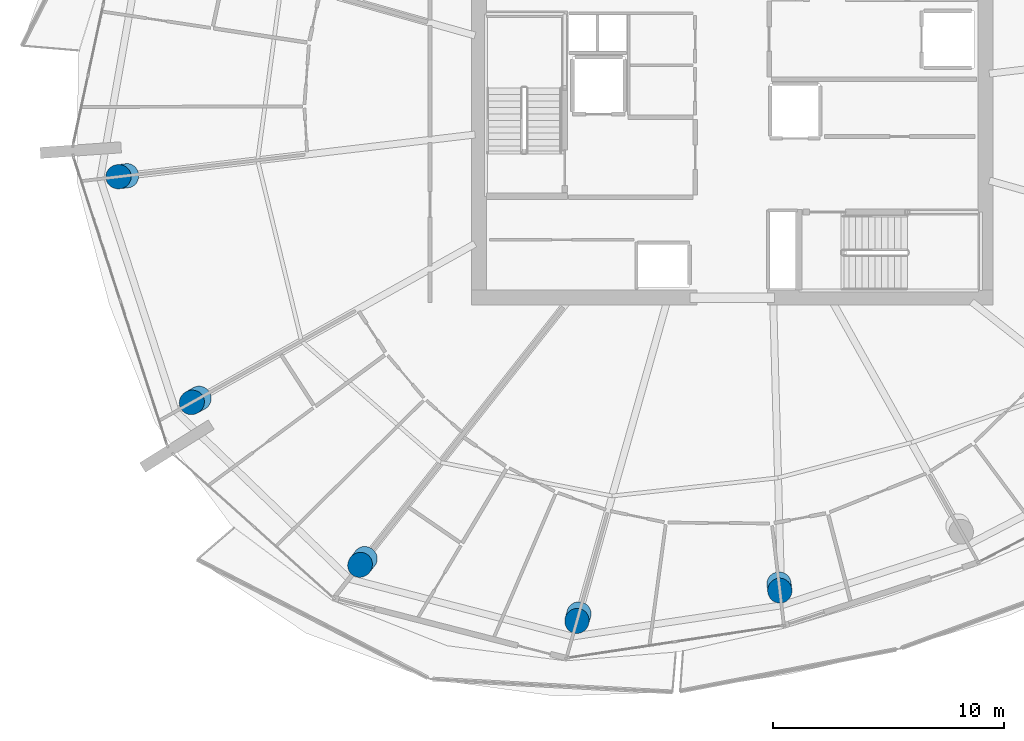
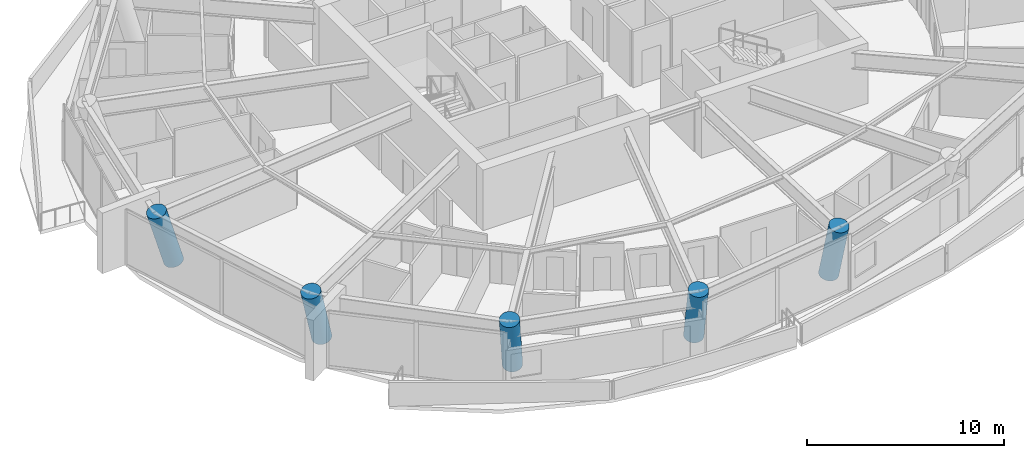
# One storey, part 1 of 20: 5 columns.
"""IFC4 building model written with IfcOpenShell, lengths in metres."""

from ifc_helpers import new_model, si_unit, direction, frame, origin, origin_2d, place, context, subcontext, project, spatial, circle, extrude, material, material_profile, profile_set, type_object, element, save


model = new_model("IFC4")

# Units and contexts
model_context = context("Model", 3, precision=1e-05, world=origin(), true_north=direction((0.0, 1.0)))
body_context = subcontext(model_context, "Body", "Model", "MODEL_VIEW")
ifc_project = project(units=[si_unit("LENGTHUNIT", "METRE"), si_unit("AREAUNIT", "SQUARE_METRE"), si_unit("VOLUMEUNIT", "CUBIC_METRE"), si_unit("PLANEANGLEUNIT", "RADIAN"), si_unit("MASSUNIT", "GRAM", prefix="KILO")], contexts=[model_context])

# Site, building, storey
site_placement = place(None, origin())
site = spatial("IfcSite", under=ifc_project, at=site_placement, CompositionType="ELEMENT")
building_placement = place(site_placement, origin())
building = spatial("IfcBuilding", under=site, at=building_placement, Name="Kazma Halo Residences", CompositionType="ELEMENT")
storey_placement = place(building_placement, frame((0.0, 0.0, 221.550048828125)))
storey = spatial("IfcBuildingStorey", under=building, at=storey_placement, Name="L56", CompositionType="ELEMENT", Elevation=221.550048828125)

# Columns
ifc_material = material(Name="Concrete C80/95", Category="concrete")
ifc_material_profile = material_profile(ifc_material, circle(Radius=0.52490234375, at=origin_2d()), Name="CIRC1050")
ifc_profile_set = profile_set([ifc_material_profile], Name="Concrete C80/95")
column_type = type_object("IfcColumnType", Name="COL-PERIM-1050", PredefinedType="COLUMN", material=ifc_profile_set)
for number, where, z_axis, x_axis, name in (
    (1, (22.248291015625, 38.9521484375, 0.0), (-0.296221268103, -0.035054976638, 0.954475829414), (0.117520467118, -0.993070460646, 0.0), "L56 perimeter ring column P08"),
    (2, (25.375, 29.329345703125, 0.0), (-0.260291589726, -0.145725683619, 0.954469650356), (0.488507395799, -0.872559753971, 0.0), "L56 perimeter ring column P09"),
):
    element("IfcColumn", number, at=place(storey_placement, frame(where, z_axis=z_axis, x_axis=x_axis)), inside=storey, type_object=column_type, Name=name, PredefinedType="COLUMN", context=body_context, shape_type="SweptSolid", body=[
        extrude(circle(Radius=0.52490234375, at=origin_2d()), origin(), (0.0, 0.0, 1.0), 3.635498046875),
    ])
column_1_placement = place(storey_placement, frame((32.54931640625, 22.401123046875, 0.0), z_axis=(-0.178277097361, -0.226248863544, 0.957616169612), x_axis=(0.785457214564, -0.618915958826, 0.0)))
element("IfcColumn", 3, at=column_1_placement, inside=storey, type_object=column_type, Name="L56 perimeter ring column P10", PredefinedType="COLUMN", context=body_context, shape_type="SweptSolid", body=[
    extrude(circle(Radius=0.52490234375, at=origin_2d()), origin(), (0.0, 0.0, 1.0), 3.62353515625),
])
column_2_placement = place(storey_placement, frame((41.797607421875, 20.00830078125, 0.0), z_axis=(-0.072038916576, -0.255527870756, 0.964114050186), x_axis=(0.962482190553, -0.271344859667, 0.0)))
element("IfcColumn", 4, at=column_2_placement, inside=storey, type_object=column_type, Name="L56 perimeter ring column P11", PredefinedType="COLUMN", context=body_context, shape_type="SweptSolid", body=[
    extrude(circle(Radius=0.52490234375, at=origin_2d()), origin(), (0.0, 0.0, 1.0), 3.59912109375),
])
column_3_placement = place(storey_placement, frame((50.449951171875, 21.30029296875, 0.0), z_axis=(0.028660243704, -0.241906104598, 0.969876294683), x_axis=(0.993054664925, 0.117653867213, 0.0)))
element("IfcColumn", 5, at=column_3_placement, inside=storey, type_object=column_type, Name="L56 perimeter ring column P12", PredefinedType="COLUMN", context=body_context, shape_type="SweptSolid", body=[
    extrude(circle(Radius=0.52490234375, at=origin_2d()), origin(), (0.0, 0.0, 1.0), 3.57763671875),
])

save(model, "model.ifc")
